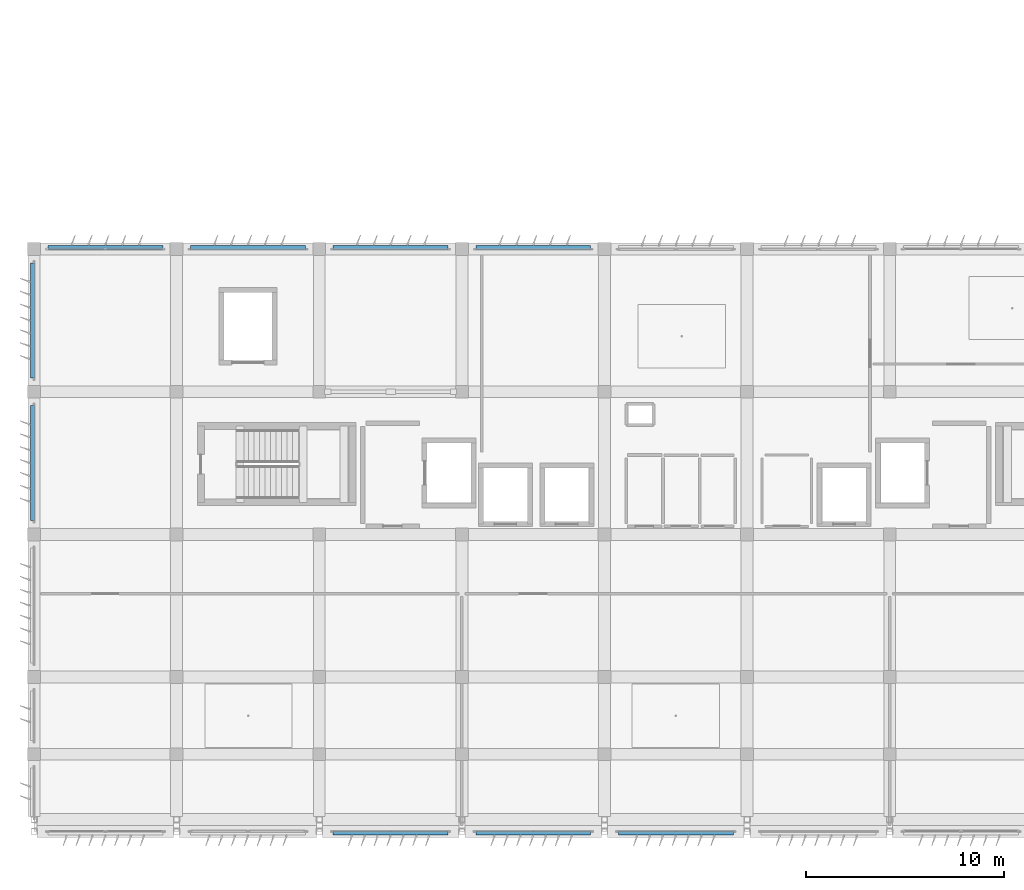
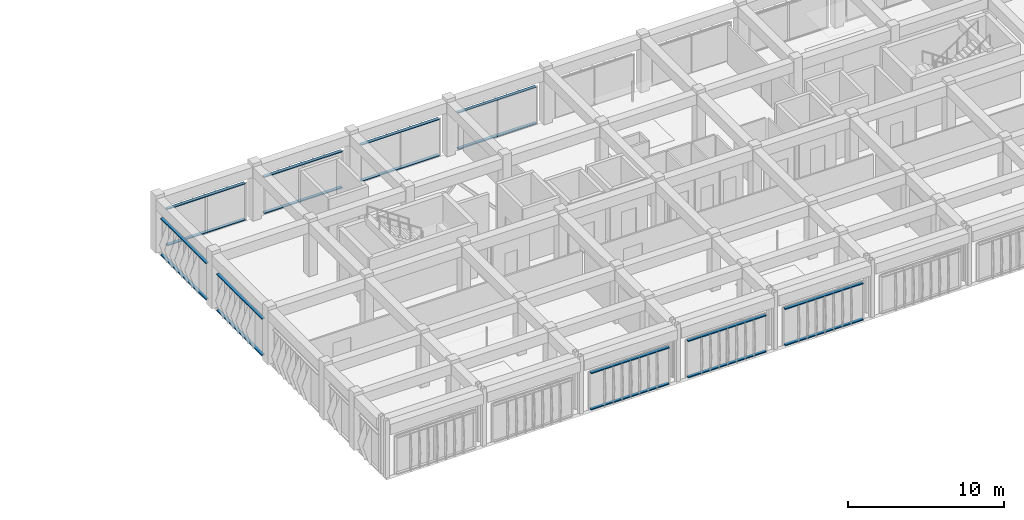
# One storey, part 40 of 56: 18 discrete accessories.
"""IFC4 building model written with IfcOpenShell, lengths in metres."""

import ifcopenshell
import ifcopenshell.guid

model = None  # the IFC model being written
_history = None  # IfcOwnerHistory: only IFC2X3 demands one
_inside = {}  # id of a spatial element -> (the spatial element, [elements in it])
_under = {}  # id of a project, library or spatial element -> (it, [spatial elements below it])
_declared = {}  # id of a project -> (the project, [libraries it declares])
_typed = {}  # id of a type object -> (the type object, [elements of that type])
_made_of = {}  # id of a material, layer set ... -> (it, [elements and type objects made of it])


def new_model(schema):
    """Start an empty IFC model of exactly this schema.

    Asked for "IFC4X3", IfcOpenShell would pick the latest addendum, in which some entities
    have other attributes; the version numbers below select the first issue.
    IFC2X3 requires an IfcOwnerHistory on every rooted entity: one is made here for all.
    """
    global model, _history
    if schema == "IFC4X3":
        model = ifcopenshell.file(schema_version=(4, 3, 0, 0))
    else:
        model = ifcopenshell.file(schema=schema)
    _inside.clear()
    _under.clear()
    _declared.clear()
    _typed.clear()
    _made_of.clear()
    _history = None
    if model.schema == "IFC2X3":
        org = make("IfcOrganization", Name="unknown")
        user = make(
            "IfcPersonAndOrganization",
            ThePerson=make("IfcPerson", FamilyName="unknown"),
            TheOrganization=org,
        )
        app = make(
            "IfcApplication",
            ApplicationDeveloper=org,
            Version="unknown",
            ApplicationFullName="unknown",
            ApplicationIdentifier="unknown",
        )
        _history = make(
            "IfcOwnerHistory",
            OwningUser=user,
            OwningApplication=app,
            ChangeAction="ADDED",
            CreationDate=0,
        )
    return model


def make(cls, **values):
    """One entity of the class cls with the attributes given. An attribute that is None is left unset."""
    return model.create_entity(
        cls, **{name: value for name, value in values.items() if value is not None}
    )


def rooted(cls, **values):
    """An entity with a GlobalId (a new one), such as an element, a storey or a relation."""
    return make(cls, GlobalId=ifcopenshell.guid.new(), OwnerHistory=_history, **values)


def si_unit(unit_type, name, prefix=None):
    """IfcSIUnit, for example si_unit("LENGTHUNIT", "METRE", prefix="MILLI")."""
    return make("IfcSIUnit", UnitType=unit_type, Prefix=prefix, Name=name)


def assignment(units):
    """IfcUnitAssignment: the units of a project."""
    return None if units is None else make("IfcUnitAssignment", Units=units)


def point(xyz):
    """IfcCartesianPoint."""
    return None if xyz is None else make("IfcCartesianPoint", Coordinates=xyz)


def direction(xyz):
    """IfcDirection."""
    return None if xyz is None else make("IfcDirection", DirectionRatios=xyz)


def frame(location, z_axis=None, x_axis=None):
    """IfcAxis2Placement3D, a coordinate frame: its origin and axes. An axis left out is left unset."""
    return make(
        "IfcAxis2Placement3D",
        Location=point(location),
        Axis=direction(z_axis),
        RefDirection=direction(x_axis),
    )


def frame_2d(location, x_axis=None):
    """IfcAxis2Placement2D, a coordinate frame in the plane: its origin and x axis."""
    return make(
        "IfcAxis2Placement2D", Location=point(location), RefDirection=direction(x_axis)
    )


def origin():
    """The frame at (0, 0, 0) with its axes left unset."""
    return frame((0.0, 0.0, 0.0))


def origin_2d():
    """The frame at (0, 0) in the plane with its x axis left unset."""
    return frame_2d((0.0, 0.0))


def place(relative_to, where):
    """IfcLocalPlacement: puts the frame where relative to a parent placement (None: the world)."""
    return make(
        "IfcLocalPlacement", PlacementRelTo=relative_to, RelativePlacement=where
    )


def context(
    kind, dimensions, precision=None, world=None, true_north=None, identifier=None
):
    """IfcGeometricRepresentationContext, for example the 3D "Model" context."""
    return make(
        "IfcGeometricRepresentationContext",
        ContextIdentifier=identifier,
        ContextType=kind,
        CoordinateSpaceDimension=dimensions,
        Precision=precision,
        WorldCoordinateSystem=world,
        TrueNorth=true_north,
    )


def subcontext(parent, identifier, kind, view, scale=None):
    """IfcGeometricRepresentationSubContext, for example "Body" below "Model"."""
    return make(
        "IfcGeometricRepresentationSubContext",
        ContextIdentifier=identifier,
        ContextType=kind,
        ParentContext=parent,
        TargetScale=scale,
        TargetView=view,
    )


def project(units=None, contexts=None):
    """IfcProject with its units and contexts."""
    return rooted(
        "IfcProject",
        Name="project",
        RepresentationContexts=contexts,
        UnitsInContext=assignment(units),
    )


def spatial(cls, under=None, at=None, **own):
    """A site, building, storey or space (cls), placed at a placement, below another one or the project."""
    s = rooted(cls, ObjectPlacement=at, **own)
    if under is not None:
        _under.setdefault(under.id(), (under, []))[1].append(s)
    return s


def profile(cls, at=None, kind="AREA", **sizes):
    """A parametric profile (cls). Its sizes go by their IFC names, for example OverallWidth=200.0."""
    return make(cls, ProfileType=kind, Position=at, **sizes)


def rectangle(**sizes):
    """IfcRectangleProfileDef."""
    return profile("IfcRectangleProfileDef", **sizes)


def extrude(swept, where, along, depth):
    """IfcExtrudedAreaSolid: the profile swept, set in the frame where, extruded along a direction by depth."""
    return make(
        "IfcExtrudedAreaSolid",
        SweptArea=swept,
        Position=where,
        ExtrudedDirection=direction(along),
        Depth=depth,
    )


def shape(context_of_items, identifier, shape_type, items):
    """IfcShapeRepresentation: the items that make up one representation, for example the "Body"."""
    return make(
        "IfcShapeRepresentation",
        ContextOfItems=context_of_items,
        RepresentationIdentifier=identifier,
        RepresentationType=shape_type,
        Items=items,
    )


def material(Name=None, Category=None):
    """IfcMaterial."""
    return make("IfcMaterial", Name=Name, Category=Category)


def made_of(thing, what):
    """Note that an element or type object is made of a material, layer set ...; save() writes the relation."""
    if what is not None:
        _made_of.setdefault(what.id(), (what, []))[1].append(thing)
    return thing


def type_object(cls, material=None, **own):
    """A type object (cls), such as IfcWallType, which elements share."""
    return made_of(rooted(cls, **own), material)


def element(
    cls,
    number,
    at=None,
    inside=None,
    cuts=None,
    type_object=None,
    material=None,
    context=None,
    identifier="Body",
    shape_type=None,
    held_by="IfcProductDefinitionShape",
    body=None,
    shapes=None,
    **own,
):
    """One element of the class cls, such as IfcWall. Its Tag is "e" and its number.

    at: its placement. inside: the storey or other place that contains it. cuts: it is an
    opening in that element (IfcRelVoidsElement). A single representation is given by context,
    identifier, shape_type and body (its items); several are given by shapes. held_by: the class
    of the entity that holds the representations. save() writes the other relations.
    """
    e = rooted(cls, Tag="e%d" % number, ObjectPlacement=at, **own)
    if body is not None:
        shapes = [shape(context, identifier, shape_type, body)]
    if shapes is not None:
        e.Representation = make(held_by, Representations=shapes)
    if inside is not None:
        _inside.setdefault(inside.id(), (inside, []))[1].append(e)
    if cuts is not None:
        rooted(
            "IfcRelVoidsElement", RelatingBuildingElement=cuts, RelatedOpeningElement=e
        )
    if type_object is not None:
        _typed.setdefault(type_object.id(), (type_object, []))[1].append(e)
    return made_of(e, material)


def aggregate(whole, parts):
    """IfcRelAggregates: a whole, such as a stair, and the parts it consists of."""
    return rooted("IfcRelAggregates", RelatingObject=whole, RelatedObjects=parts)


def save(model, path):
    """Write the relations noted so far, then the file.

    IfcRelAggregates (storeys below a building ...), IfcRelContainedInSpatialStructure (elements
    in a storey), IfcRelDefinesByType, IfcRelAssociatesMaterial and IfcRelDeclares: one each for
    every whole, place, type object, material and project.
    """
    for whole, parts in _under.values():
        aggregate(whole, parts)
    for where, things in _inside.values():
        rooted(
            "IfcRelContainedInSpatialStructure",
            RelatedElements=things,
            RelatingStructure=where,
        )
    for kind, things in _typed.values():
        rooted("IfcRelDefinesByType", RelatedObjects=things, RelatingType=kind)
    for what, things in _made_of.values():
        rooted("IfcRelAssociatesMaterial", RelatedObjects=things, RelatingMaterial=what)
    for by, libraries in _declared.values():
        rooted("IfcRelDeclares", RelatingContext=by, RelatedDefinitions=libraries)
    model.write(path)


model = new_model("IFC4")

# Units and contexts
model_context = context("Model", 3, precision=1e-05, world=origin(), true_north=direction((0.0, 1.0)))
body_context = subcontext(model_context, "Body", "Model", "MODEL_VIEW")
ifc_project = project(units=[si_unit("LENGTHUNIT", "METRE"), si_unit("AREAUNIT", "SQUARE_METRE"), si_unit("VOLUMEUNIT", "CUBIC_METRE"), si_unit("PLANEANGLEUNIT", "RADIAN"), si_unit("MASSUNIT", "GRAM", prefix="KILO")], contexts=[model_context])

# Site, building, storey
site_placement = place(None, origin())
site = spatial("IfcSite", under=ifc_project, at=site_placement, CompositionType="ELEMENT")
building_placement = place(site_placement, origin())
building = spatial("IfcBuilding", under=site, at=building_placement, Name="Kazehaya Institute of Natural Sciences", CompositionType="ELEMENT")
storey_placement = place(building_placement, frame((0.0, 0.0, 28.800048828125)))
storey = spatial("IfcBuildingStorey", under=building, at=storey_placement, Name="L06", CompositionType="ELEMENT", Elevation=28.800048828125)

# Discrete accessories
ifc_material = material(Name="Aluminium alloy A6063S-T5", Category="aluminium")
discrete_accessory_type = type_object("IfcDiscreteAccessoryType", Name="ACC-BRK-01", PredefinedType="BRACKET", material=ifc_material)
for number, where, z_axis, x_axis, name in (
    (1, (87.0, 6.125, 0.039794921875), (0.0, 0.0, 1.0), (-1.0, 0.0, 0.0), "L06 fin support outrigger rail 1"),
    (2, (87.0, 6.125, 2.8798828125), (0.0, 0.0, 1.0), (-1.0, 0.0, 0.0), "L06 fin support outrigger rail 2"),
    (3, (79.800048828125, 6.125, 0.039794921875), (0.0, 0.0, 1.0), (-1.0, 0.0, 0.0), "L06 fin support outrigger rail 1"),
    (4, (79.800048828125, 6.125, 2.8798828125), (0.0, 0.0, 1.0), (-1.0, 0.0, 0.0), "L06 fin support outrigger rail 2"),
    (5, (72.60009765625, 6.125, 0.039794921875), (0.0, 0.0, 1.0), (-1.0, 0.0, 0.0), "L06 fin support outrigger rail 1"),
    (6, (72.60009765625, 6.125, 2.8798828125), (0.0, 0.0, 1.0), (-1.0, 0.0, 0.0), "L06 fin support outrigger rail 2"),
    (7, (58.199951171875, 35.675048828125, 0.039794921875), (0.0, 0.0, 1.0), (1.0, 0.0, 0.0), "L06 fin support outrigger rail 1"),
    (8, (58.199951171875, 35.675048828125, 2.8798828125), (0.0, 0.0, 1.0), (1.0, 0.0, 0.0), "L06 fin support outrigger rail 2"),
    (9, (65.39990234375, 35.675048828125, 0.039794921875), (0.0, 0.0, 1.0), (1.0, 0.0, 0.0), "L06 fin support outrigger rail 1"),
    (10, (65.39990234375, 35.675048828125, 2.8798828125), (0.0, 0.0, 1.0), (1.0, 0.0, 0.0), "L06 fin support outrigger rail 2"),
    (11, (72.60009765625, 35.675048828125, 0.039794921875), (0.0, 0.0, 1.0), (1.0, 0.0, 0.0), "L06 fin support outrigger rail 1"),
    (12, (72.60009765625, 35.675048828125, 2.8798828125), (0.0, 0.0, 1.0), (1.0, 0.0, 0.0), "L06 fin support outrigger rail 2"),
    (13, (79.800048828125, 35.675048828125, 0.039794921875), (0.0, 0.0, 1.0), (1.0, 0.0, 0.0), "L06 fin support outrigger rail 1"),
    (14, (79.800048828125, 35.675048828125, 2.8798828125), (0.0, 0.0, 1.0), (1.0, 0.0, 0.0), "L06 fin support outrigger rail 2"),
    (15, (54.52490234375, 24.800048828125, 0.039794921875), (0.0, 0.0, 1.0), (0.0, 1.0, 0.0), "L06 fin support outrigger rail 1"),
    (16, (54.52490234375, 24.800048828125, 2.8798828125), (0.0, 0.0, 1.0), (0.0, 1.0, 0.0), "L06 fin support outrigger rail 2"),
    (17, (54.52490234375, 32.0, 0.039794921875), (0.0, 0.0, 1.0), (0.0, 1.0, 0.0), "L06 fin support outrigger rail 1"),
    (18, (54.52490234375, 32.0, 2.8798828125), (0.0, 0.0, 1.0), (0.0, 1.0, 0.0), "L06 fin support outrigger rail 2"),
):
    element("IfcDiscreteAccessory", number, at=place(storey_placement, frame(where, z_axis=z_axis, x_axis=x_axis)), inside=storey, type_object=discrete_accessory_type, Name=name, PredefinedType="BRACKET", context=body_context, shape_type="SweptSolid", body=[
        extrude(rectangle(XDim=5.800048828125, YDim=0.219970703125, at=origin_2d()), origin(), (0.0, 0.0, 1.0), 0.080078125),
    ])

save(model, "model.ifc")
